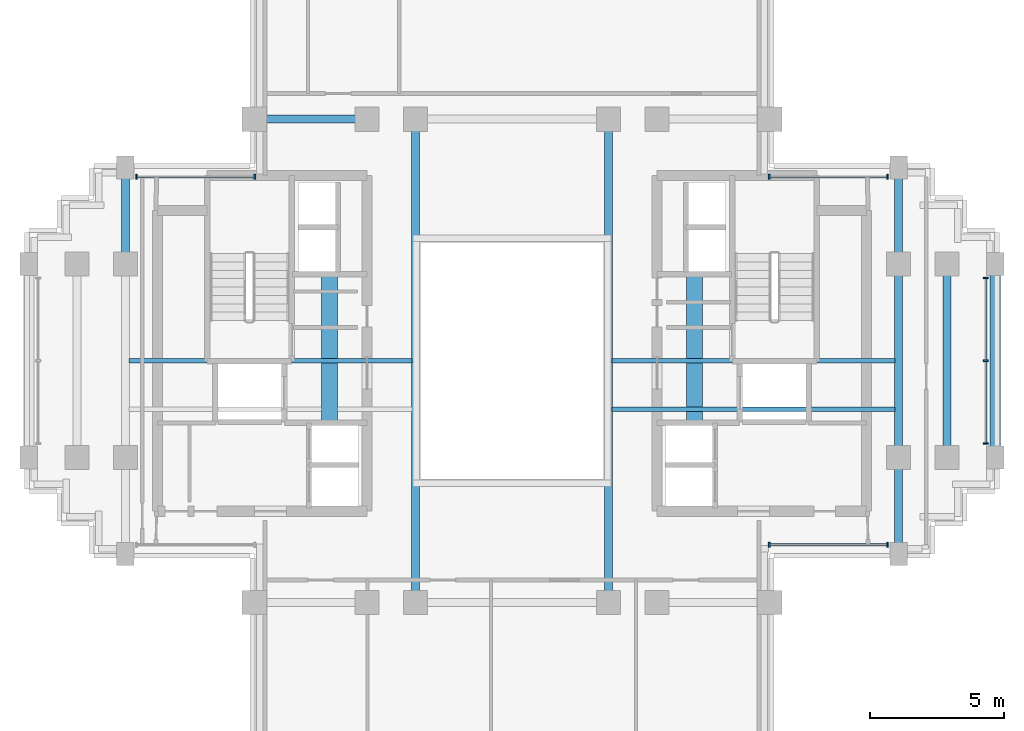
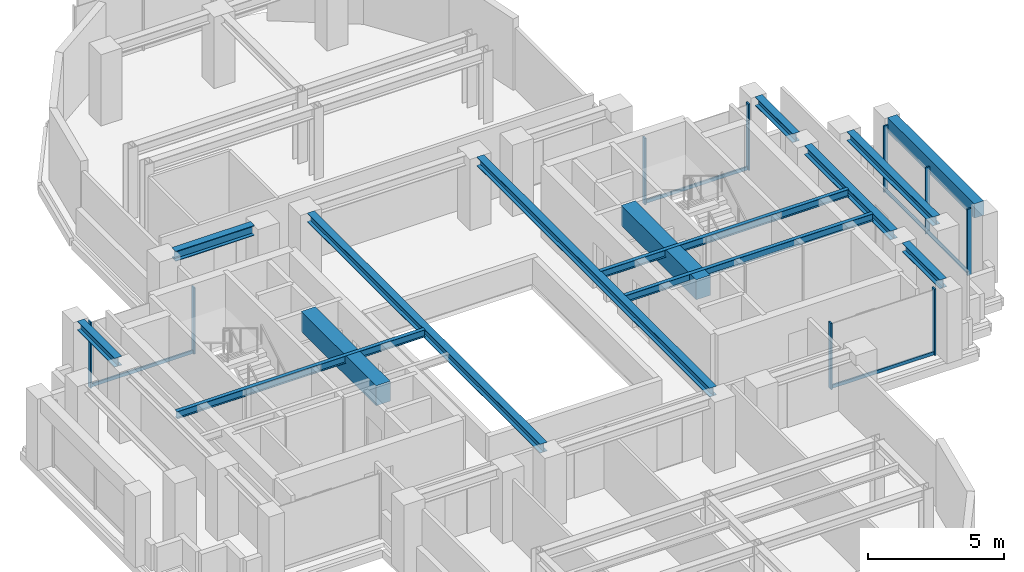
# One storey, part 3 of 11: 14 beams, 14 members, 4 elements without a shape of their own.
"""IFC4 building model written with IfcOpenShell, lengths in metres."""

from ifc_helpers import new_model, si_unit, direction, frame, origin, origin_2d, place, context, subcontext, project, spatial, rectangle, i_section, extrude, source, transform, mapped, material, material_profile, profile_set, type_object, element, aggregate, save


model = new_model("IFC4")

# Units and contexts
model_context = context("Model", 3, precision=1e-05, world=origin(), true_north=direction((0.0, 1.0)))
body_context = subcontext(model_context, "Body", "Model", "MODEL_VIEW")
ifc_project = project(units=[si_unit("LENGTHUNIT", "METRE"), si_unit("AREAUNIT", "SQUARE_METRE"), si_unit("VOLUMEUNIT", "CUBIC_METRE"), si_unit("PLANEANGLEUNIT", "RADIAN"), si_unit("MASSUNIT", "GRAM", prefix="KILO")], contexts=[model_context])

# Site, building, storey
site_placement = place(None, origin())
site = spatial("IfcSite", under=ifc_project, at=site_placement, CompositionType="ELEMENT")
building_placement = place(site_placement, origin())
building = spatial("IfcBuilding", under=site, at=building_placement, Name="Keilestroom Media Tower", CompositionType="ELEMENT")
storey_placement = place(building_placement, frame((0.0, 0.0, 167.199951171875)))
storey = spatial("IfcBuildingStorey", under=building, at=storey_placement, Name="L45", CompositionType="ELEMENT", Elevation=167.199951171875)

# Beams
ifc_material_1 = material(Name="Concrete C70/85", Category="concrete")
ifc_material_profile_1 = material_profile(ifc_material_1, rectangle(XDim=0.60009765625, YDim=0.89990234375, at=origin_2d()), Name="RC 600x900")
ifc_profile_set_1 = profile_set([ifc_material_profile_1], Name="Concrete C70/85")
beam_type_1 = type_object("IfcBeamType", Name="Core-Coupling-Lintel-Beam-RC-600x900", PredefinedType="LINTEL", material=ifc_profile_set_1)
shared_shape_1 = source(origin(), body_context, "Body", "SweptSolid", [
    extrude(rectangle(XDim=0.60009765625, YDim=0.89990234375, at=origin_2d()), origin(), (0.0, 0.0, 1.0), 5.52001953125),
])
for number, where, z_axis, x_axis, name in (
    (1, (-6.800048828125, -2.300048828125, 2.75), (0.0, 1.0, 0.0), (-1.0, 0.0, 0.0), "L45 Beam CLB-1 CLB-L45-W"),
    (2, (6.800048828125, -2.300048828125, 2.75), (0.0, 1.0, 0.0), (-1.0, 0.0, 0.0), "L45 Beam CLB-1 CLB-L45-E"),
):
    element("IfcBeam", number, at=place(storey_placement, frame(where, z_axis=z_axis, x_axis=x_axis)), inside=storey, type_object=beam_type_1, Name=name, PredefinedType="LINTEL", context=body_context, shape_type="MappedRepresentation", body=[
        mapped(shared_shape_1, transform((0.0, 0.0, 0.0), x_axis=(1.0, 0.0, 0.0), y_axis=(0.0, 1.0, 0.0), z_axis=(0.0, 0.0, 1.0), scale=1.0)),
    ])
ifc_material_2 = material(Name="Steel S355", Category="steel")
ifc_material_profile_2 = material_profile(ifc_material_2, i_section(OverallWidth=0.300048828125, OverallDepth=0.449951171875, WebThickness=0.011962890625, FlangeThickness=0.02587890625, at=origin_2d()), Name="HEB 450")
ifc_profile_set_2 = profile_set([ifc_material_profile_2], Name="Steel S355")
beam_type_2 = type_object("IfcBeamType", Name="Primary-Structural-Girder-HEB-450", PredefinedType="BEAM", material=ifc_profile_set_2)
shared_shape_2 = source(origin(), body_context, "Body", "SweptSolid", [
    extrude(i_section(OverallWidth=0.300048828125, OverallDepth=0.449951171875, WebThickness=0.011962890625, FlangeThickness=0.02587890625, at=origin_2d()), origin(), (0.0, 0.0, 1.0), 3.33984375),
])
beam_1_placement = place(storey_placement, frame((-9.169921875, 9.0, 2.97509765625), z_axis=(1.0, 0.0, 0.0), x_axis=(0.0, 1.0, 0.0)))
element("IfcBeam", 3, at=beam_1_placement, inside=storey, type_object=beam_type_2, Name="L45 Beam BG-7 BM-L45-EW-020", PredefinedType="BEAM", context=body_context, shape_type="MappedRepresentation", body=[
    mapped(shared_shape_2, transform((0.0, 0.0, 0.0), x_axis=(1.0, 0.0, 0.0), y_axis=(0.0, 1.0, 0.0), z_axis=(0.0, 0.0, 1.0), scale=1.0)),
])
ifc_material_3 = material(Name="Precast concrete C40/50", Category="concrete")
ifc_material_profile_3 = material_profile(ifc_material_3, rectangle(XDim=0.39990234375, YDim=0.64990234375, at=origin_2d()), Name="PC 400x650")
ifc_profile_set_3 = profile_set([ifc_material_profile_3], Name="Precast concrete C40/50")
beam_type_3 = type_object("IfcBeamType", Name="Perimeter-Spandrel-Beam-PC-400x650", PredefinedType="SPANDREL", material=ifc_profile_set_3)
shared_shape_3 = source(origin(), body_context, "Body", "SweptSolid", [
    extrude(rectangle(XDim=0.39990234375, YDim=0.64990234375, at=origin_2d()), origin(), (0.0, 0.0, 1.0), 6.39013671875),
])
beam_2_placement = place(storey_placement, frame((18.0, -3.195068359375, 2.875), z_axis=(0.0, 1.0, 0.0), x_axis=(-1.0, 0.0, 0.0)))
element("IfcBeam", 4, at=beam_2_placement, inside=storey, type_object=beam_type_3, Name="L45 Beam SPB-2 BM-L45-NS-054", PredefinedType="SPANDREL", context=body_context, shape_type="MappedRepresentation", body=[
    mapped(shared_shape_3, transform((0.0, 0.0, 0.0), x_axis=(1.0, 0.0, 0.0), y_axis=(0.0, 1.0, 0.0), z_axis=(0.0, 0.0, 1.0), scale=1.0)),
])
ifc_material_profile_4 = material_profile(ifc_material_2, i_section(OverallWidth=0.300048828125, OverallDepth=0.39990234375, WebThickness=0.011474609375, FlangeThickness=0.02392578125, at=origin_2d()), Name="HEB 400")
ifc_profile_set_4 = profile_set([ifc_material_profile_4], Name="Steel S355")
beam_type_4 = type_object("IfcBeamType", Name="Primary-Structural-Girder-HEB-400", PredefinedType="BEAM", material=ifc_profile_set_4)
shared_shape_4 = source(origin(), body_context, "Body", "SweptSolid", [
    extrude(i_section(OverallWidth=0.300048828125, OverallDepth=0.39990234375, WebThickness=0.011474609375, FlangeThickness=0.02392578125, at=origin_2d()), origin(), (0.0, 0.0, 1.0), 6.33984375),
])
for number, where, z_axis, x_axis, name in (
    (5, (14.39990234375, -3.169921875, 3.0), (0.0, 1.0, 0.0), (-1.0, 0.0, 0.0), "L45 Beam BG-8 BM-L45-NS-051"),
    (6, (16.199951171875, -3.169921875, 3.0), (0.0, 1.0, 0.0), (-1.0, 0.0, 0.0), "L45 Beam BG-8 BM-L45-NS-053"),
):
    element("IfcBeam", number, at=place(storey_placement, frame(where, z_axis=z_axis, x_axis=x_axis)), inside=storey, type_object=beam_type_4, Name=name, PredefinedType="BEAM", context=body_context, shape_type="MappedRepresentation", body=[
        mapped(shared_shape_4, transform((0.0, 0.0, 0.0), x_axis=(1.0, 0.0, 0.0), y_axis=(0.0, 1.0, 0.0), z_axis=(0.0, 0.0, 1.0), scale=1.0)),
    ])
shared_shape_5 = source(origin(), body_context, "Body", "SweptSolid", [
    extrude(i_section(OverallWidth=0.300048828125, OverallDepth=0.39990234375, WebThickness=0.011474609375, FlangeThickness=0.02392578125, at=origin_2d()), origin(), (0.0, 0.0, 1.0), 2.764892578125),
])
for number, where, z_axis, x_axis, name in (
    (7, (-14.39990234375, 4.030029296875, 3.0), (0.0, 1.0, 0.0), (-1.0, 0.0, 0.0), "L45 Beam BG-8 BM-L45-NS-035"),
    (8, (14.39990234375, -6.794921875, 3.0), (0.0, 1.0, 0.0), (-1.0, 0.0, 0.0), "L45 Beam BG-8 BM-L45-NS-050"),
    (9, (14.39990234375, 4.030029296875, 3.0), (0.0, 1.0, 0.0), (-1.0, 0.0, 0.0), "L45 Beam BG-8 BM-L45-NS-052"),
):
    element("IfcBeam", number, at=place(storey_placement, frame(where, z_axis=z_axis, x_axis=x_axis)), inside=storey, type_object=beam_type_4, Name=name, PredefinedType="BEAM", context=body_context, shape_type="MappedRepresentation", body=[
        mapped(shared_shape_5, transform((0.0, 0.0, 0.0), x_axis=(1.0, 0.0, 0.0), y_axis=(0.0, 1.0, 0.0), z_axis=(0.0, 0.0, 1.0), scale=1.0)),
    ])
shared_shape_6 = source(origin(), body_context, "Body", "SweptSolid", [
    extrude(i_section(OverallWidth=0.300048828125, OverallDepth=0.39990234375, WebThickness=0.011474609375, FlangeThickness=0.02392578125, at=origin_2d()), origin(), (0.0, 0.0, 1.0), 17.14013671875),
])
for number, where, z_axis, x_axis, name in (
    (10, (-3.60009765625, -8.570068359375, 3.0), (0.0, 1.0, 0.0), (-1.0, 0.0, 0.0), "L45 Beam BG-8 BM-L45-NS-040"),
    (11, (3.60009765625, -8.570068359375, 3.0), (0.0, 1.0, 0.0), (-1.0, 0.0, 0.0), "L45 Beam BG-8 BM-L45-NS-045"),
):
    element("IfcBeam", number, at=place(storey_placement, frame(where, z_axis=z_axis, x_axis=x_axis)), inside=storey, type_object=beam_type_4, Name=name, PredefinedType="BEAM", context=body_context, shape_type="MappedRepresentation", body=[
        mapped(shared_shape_6, transform((0.0, 0.0, 0.0), x_axis=(1.0, 0.0, 0.0), y_axis=(0.0, 1.0, 0.0), z_axis=(0.0, 0.0, 1.0), scale=1.0)),
    ])
ifc_material_profile_5 = material_profile(ifc_material_2, i_section(OverallWidth=0.159912109375, OverallDepth=0.330078125, WebThickness=0.007568359375, FlangeThickness=0.011474609375, at=origin_2d()), Name="IPE 330")
ifc_profile_set_5 = profile_set([ifc_material_profile_5], Name="Steel S355")
beam_type_5 = type_object("IfcBeamType", Name="Secondary-Floor-Joist-IPE-330", PredefinedType="JOIST", material=ifc_profile_set_5)
shared_shape_7 = source(origin(), body_context, "Body", "SweptSolid", [
    extrude(i_section(OverallWidth=0.159912109375, OverallDepth=0.330078125, WebThickness=0.007568359375, FlangeThickness=0.011474609375, at=origin_2d()), origin(), (0.0, 0.0, 1.0), 10.5400390625),
])
for number, where, z_axis, x_axis, name in (
    (12, (3.72998046875, -1.800048828125, 3.03515625), (1.0, 0.0, 0.0), (0.0, 1.0, 0.0), "L45 Beam BJ-6 JST-L45-059"),
    (13, (-14.27001953125, 0.0, 3.03515625), (1.0, 0.0, 0.0), (0.0, 1.0, 0.0), "L45 Beam BJ-6 JST-L45-060"),
    (14, (3.72998046875, 0.0, 3.03515625), (1.0, 0.0, 0.0), (0.0, 1.0, 0.0), "L45 Beam BJ-6 JST-L45-062"),
):
    element("IfcBeam", number, at=place(storey_placement, frame(where, z_axis=z_axis, x_axis=x_axis)), inside=storey, type_object=beam_type_5, Name=name, PredefinedType="JOIST", context=body_context, shape_type="MappedRepresentation", body=[
        mapped(shared_shape_7, transform((0.0, 0.0, 0.0), x_axis=(1.0, 0.0, 0.0), y_axis=(0.0, 1.0, 0.0), z_axis=(0.0, 0.0, 1.0), scale=1.0)),
    ])

# Curtain wall, members
ifc_material_4 = material(Name="Anodised Aluminium Alloy", Category="aluminium")
curtain_wall_type = type_object("IfcCurtainWallType", Name="Unitised-Curtain-Wall-CW-3", PredefinedType="NOTDEFINED", material=ifc_material_4)
curtain_wall_1_placement = place(storey_placement, origin())
curtain_wall_1 = element("IfcCurtainWall", 15, at=curtain_wall_1_placement, inside=storey, type_object=curtain_wall_type, Name="L45 Curtain Wall CW-3 CW-L45-E-1", PredefinedType="NOTDEFINED")
ifc_material_profile_6 = material_profile(ifc_material_4, rectangle(XDim=0.06494140625, YDim=0.179931640625, at=origin_2d()), Name="ALU MULLION 65x180")
ifc_profile_set_6 = profile_set([ifc_material_profile_6], Name="Anodised Aluminium Alloy")
member_type_1 = type_object("IfcMemberType", Name="Curtain-Wall-Mullion-CW-3", PredefinedType="MULLION", material=ifc_profile_set_6)
shared_shape_8 = source(origin(), body_context, "Body", "SweptSolid", [
    extrude(rectangle(XDim=0.06494140625, YDim=0.179931640625, at=origin_2d()), origin(), (0.0, 0.0, 1.0), 2.97998046875),
])
member_1_placement = place(storey_placement, frame((17.64990234375, -3.08251953125, 0.0), z_axis=(0.0, 0.0, 1.0), x_axis=(0.0, 1.0, 0.0)))
member_1 = element("IfcMember", 16, at=member_1_placement, type_object=member_type_1, Name="CW-3 Mullion 00", PredefinedType="MULLION", context=body_context, shape_type="MappedRepresentation", body=[
    mapped(shared_shape_8, transform((0.0, 0.0, 0.0), x_axis=(1.0, 0.0, 0.0), y_axis=(0.0, 1.0, 0.0), z_axis=(0.0, 0.0, 1.0), scale=1.0)),
])
member_2_placement = place(storey_placement, frame((17.64990234375, 0.0, 0.0), z_axis=(0.0, 0.0, 1.0), x_axis=(0.0, 1.0, 0.0)))
member_2 = element("IfcMember", 17, at=member_2_placement, type_object=member_type_1, Name="CW-3 Mullion 01", PredefinedType="MULLION", context=body_context, shape_type="MappedRepresentation", body=[
    mapped(shared_shape_8, transform((0.0, 0.0, 0.0), x_axis=(1.0, 0.0, 0.0), y_axis=(0.0, 1.0, 0.0), z_axis=(0.0, 0.0, 1.0), scale=1.0)),
])
member_3_placement = place(storey_placement, frame((17.64990234375, 3.08251953125, 0.0), z_axis=(0.0, 0.0, 1.0), x_axis=(0.0, 1.0, 0.0)))
member_3 = element("IfcMember", 18, at=member_3_placement, type_object=member_type_1, Name="CW-3 Mullion 02", PredefinedType="MULLION", context=body_context, shape_type="MappedRepresentation", body=[
    mapped(shared_shape_8, transform((0.0, 0.0, 0.0), x_axis=(1.0, 0.0, 0.0), y_axis=(0.0, 1.0, 0.0), z_axis=(0.0, 0.0, 1.0), scale=1.0)),
])

curtain_wall_2_placement = place(storey_placement, origin())
curtain_wall_2 = element("IfcCurtainWall", 19, at=curtain_wall_2_placement, inside=storey, type_object=curtain_wall_type, Name="L45 Curtain Wall CW-3 CW-L45-NW-1", PredefinedType="NOTDEFINED")
member_4_placement = place(storey_placement, frame((-13.982421875, 6.85009765625, 0.0), z_axis=(0.0, 0.0, 1.0), x_axis=(1.0, 0.0, 0.0)))
member_4 = element("IfcMember", 20, at=member_4_placement, type_object=member_type_1, Name="CW-3 Mullion 00", PredefinedType="MULLION", context=body_context, shape_type="MappedRepresentation", body=[
    mapped(shared_shape_8, transform((0.0, 0.0, 0.0), x_axis=(1.0, 0.0, 0.0), y_axis=(0.0, 1.0, 0.0), z_axis=(0.0, 0.0, 1.0), scale=1.0)),
])
member_5_placement = place(storey_placement, frame((-9.58251953125, 6.85009765625, 0.0), z_axis=(0.0, 0.0, 1.0), x_axis=(1.0, 0.0, 0.0)))
member_5 = element("IfcMember", 21, at=member_5_placement, type_object=member_type_1, Name="CW-3 Mullion 01", PredefinedType="MULLION", context=body_context, shape_type="MappedRepresentation", body=[
    mapped(shared_shape_8, transform((0.0, 0.0, 0.0), x_axis=(1.0, 0.0, 0.0), y_axis=(0.0, 1.0, 0.0), z_axis=(0.0, 0.0, 1.0), scale=1.0)),
])

curtain_wall_3_placement = place(storey_placement, origin())
curtain_wall_3 = element("IfcCurtainWall", 22, at=curtain_wall_3_placement, inside=storey, type_object=curtain_wall_type, Name="L45 Curtain Wall CW-3 CW-L45-NE-1", PredefinedType="NOTDEFINED")
member_6_placement = place(storey_placement, frame((9.58251953125, 6.85009765625, 0.0), z_axis=(0.0, 0.0, 1.0), x_axis=(1.0, 0.0, 0.0)))
member_6 = element("IfcMember", 23, at=member_6_placement, type_object=member_type_1, Name="CW-3 Mullion 00", PredefinedType="MULLION", context=body_context, shape_type="MappedRepresentation", body=[
    mapped(shared_shape_8, transform((0.0, 0.0, 0.0), x_axis=(1.0, 0.0, 0.0), y_axis=(0.0, 1.0, 0.0), z_axis=(0.0, 0.0, 1.0), scale=1.0)),
])
member_7_placement = place(storey_placement, frame((13.982421875, 6.85009765625, 0.0), z_axis=(0.0, 0.0, 1.0), x_axis=(1.0, 0.0, 0.0)))
member_7 = element("IfcMember", 24, at=member_7_placement, type_object=member_type_1, Name="CW-3 Mullion 01", PredefinedType="MULLION", context=body_context, shape_type="MappedRepresentation", body=[
    mapped(shared_shape_8, transform((0.0, 0.0, 0.0), x_axis=(1.0, 0.0, 0.0), y_axis=(0.0, 1.0, 0.0), z_axis=(0.0, 0.0, 1.0), scale=1.0)),
])

curtain_wall_4_placement = place(storey_placement, origin())
curtain_wall_4 = element("IfcCurtainWall", 25, at=curtain_wall_4_placement, inside=storey, type_object=curtain_wall_type, Name="L45 Curtain Wall CW-3 CW-L45-SE-1", PredefinedType="NOTDEFINED")
member_8_placement = place(storey_placement, frame((9.58251953125, -6.85009765625, 0.0), z_axis=(0.0, 0.0, 1.0), x_axis=(1.0, 0.0, 0.0)))
member_8 = element("IfcMember", 26, at=member_8_placement, type_object=member_type_1, Name="CW-3 Mullion 00", PredefinedType="MULLION", context=body_context, shape_type="MappedRepresentation", body=[
    mapped(shared_shape_8, transform((0.0, 0.0, 0.0), x_axis=(1.0, 0.0, 0.0), y_axis=(0.0, 1.0, 0.0), z_axis=(0.0, 0.0, 1.0), scale=1.0)),
])
member_9_placement = place(storey_placement, frame((13.982421875, -6.85009765625, 0.0), z_axis=(0.0, 0.0, 1.0), x_axis=(1.0, 0.0, 0.0)))
member_9 = element("IfcMember", 27, at=member_9_placement, type_object=member_type_1, Name="CW-3 Mullion 01", PredefinedType="MULLION", context=body_context, shape_type="MappedRepresentation", body=[
    mapped(shared_shape_8, transform((0.0, 0.0, 0.0), x_axis=(1.0, 0.0, 0.0), y_axis=(0.0, 1.0, 0.0), z_axis=(0.0, 0.0, 1.0), scale=1.0)),
])

# Member
ifc_material_profile_7 = material_profile(ifc_material_4, rectangle(XDim=0.06494140625, YDim=0.14990234375, at=origin_2d()), Name="ALU TRANSOM 65x150")
ifc_profile_set_7 = profile_set([ifc_material_profile_7], Name="Anodised Aluminium Alloy")
member_type_2 = type_object("IfcMemberType", Name="Curtain-Wall-Transom-CW-3", PredefinedType="USERDEFINED", material=ifc_profile_set_7)
shared_shape_9 = source(origin(), body_context, "Body", "SweptSolid", [
    extrude(rectangle(XDim=0.06494140625, YDim=0.14990234375, at=origin_2d()), origin(), (0.0, 0.0, 1.0), 4.3388671875),
])
member_10_placement = place(storey_placement, frame((-13.951904296875, 6.85009765625, 0.074951171875), z_axis=(1.0, 0.0, 0.0), x_axis=(0.0, 1.0, 0.0)))
member_10 = element("IfcMember", 28, at=member_10_placement, type_object=member_type_2, Name="CW-3 Transom 00.1", ObjectType="TRANSOM", PredefinedType="USERDEFINED", context=body_context, shape_type="MappedRepresentation", body=[
    mapped(shared_shape_9, transform((0.0, 0.0, 0.0), x_axis=(1.0, 0.0, 0.0), y_axis=(0.0, 1.0, 0.0), z_axis=(0.0, 0.0, 1.0), scale=1.0)),
])

aggregate(curtain_wall_2, [member_4, member_5, member_10])

member_11_placement = place(storey_placement, frame((9.613037109375, 6.85009765625, 0.074951171875), z_axis=(1.0, 0.0, 0.0), x_axis=(0.0, 1.0, 0.0)))
member_11 = element("IfcMember", 29, at=member_11_placement, type_object=member_type_2, Name="CW-3 Transom 00.1", ObjectType="TRANSOM", PredefinedType="USERDEFINED", context=body_context, shape_type="MappedRepresentation", body=[
    mapped(shared_shape_9, transform((0.0, 0.0, 0.0), x_axis=(1.0, 0.0, 0.0), y_axis=(0.0, 1.0, 0.0), z_axis=(0.0, 0.0, 1.0), scale=1.0)),
])

aggregate(curtain_wall_3, [member_6, member_7, member_11])

member_12_placement = place(storey_placement, frame((9.613037109375, -6.85009765625, 0.074951171875), z_axis=(1.0, 0.0, 0.0), x_axis=(0.0, 1.0, 0.0)))
member_12 = element("IfcMember", 30, at=member_12_placement, type_object=member_type_2, Name="CW-3 Transom 00.1", ObjectType="TRANSOM", PredefinedType="USERDEFINED", context=body_context, shape_type="MappedRepresentation", body=[
    mapped(shared_shape_9, transform((0.0, 0.0, 0.0), x_axis=(1.0, 0.0, 0.0), y_axis=(0.0, 1.0, 0.0), z_axis=(0.0, 0.0, 1.0), scale=1.0)),
])

aggregate(curtain_wall_4, [member_8, member_9, member_12])

shared_shape_10 = source(origin(), body_context, "Body", "SweptSolid", [
    extrude(rectangle(XDim=0.06494140625, YDim=0.14990234375, at=origin_2d()), origin(), (0.0, 0.0, 1.0), 3.021484375),
])
member_13_placement = place(storey_placement, frame((17.64990234375, -3.052001953125, 0.074951171875), z_axis=(0.0, 1.0, 0.0), x_axis=(-1.0, 0.0, 0.0)))
member_13 = element("IfcMember", 31, at=member_13_placement, type_object=member_type_2, Name="CW-3 Transom 00.1", ObjectType="TRANSOM", PredefinedType="USERDEFINED", context=body_context, shape_type="MappedRepresentation", body=[
    mapped(shared_shape_10, transform((0.0, 0.0, 0.0), x_axis=(1.0, 0.0, 0.0), y_axis=(0.0, 1.0, 0.0), z_axis=(0.0, 0.0, 1.0), scale=1.0)),
])

member_14_placement = place(storey_placement, frame((17.64990234375, 0.030517578125, 0.074951171875), z_axis=(0.0, 1.0, 0.0), x_axis=(-1.0, 0.0, 0.0)))
member_14 = element("IfcMember", 32, at=member_14_placement, type_object=member_type_2, Name="CW-3 Transom 01.1", ObjectType="TRANSOM", PredefinedType="USERDEFINED", context=body_context, shape_type="MappedRepresentation", body=[
    mapped(shared_shape_10, transform((0.0, 0.0, 0.0), x_axis=(1.0, 0.0, 0.0), y_axis=(0.0, 1.0, 0.0), z_axis=(0.0, 0.0, 1.0), scale=1.0)),
])

aggregate(curtain_wall_1, [member_1, member_2, member_3, member_13, member_14])

save(model, "model.ifc")
